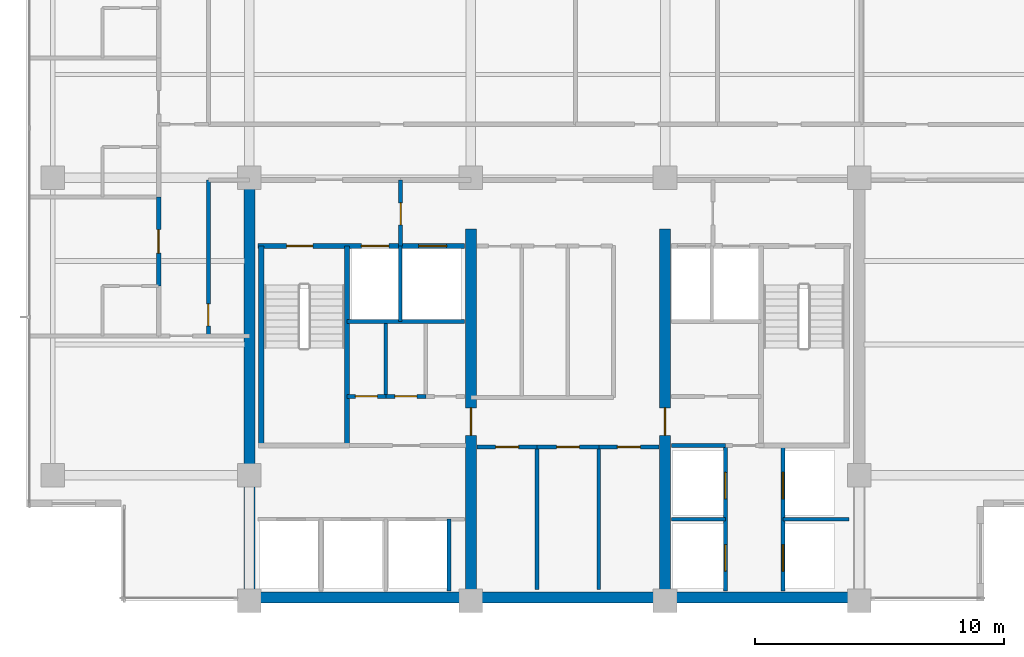
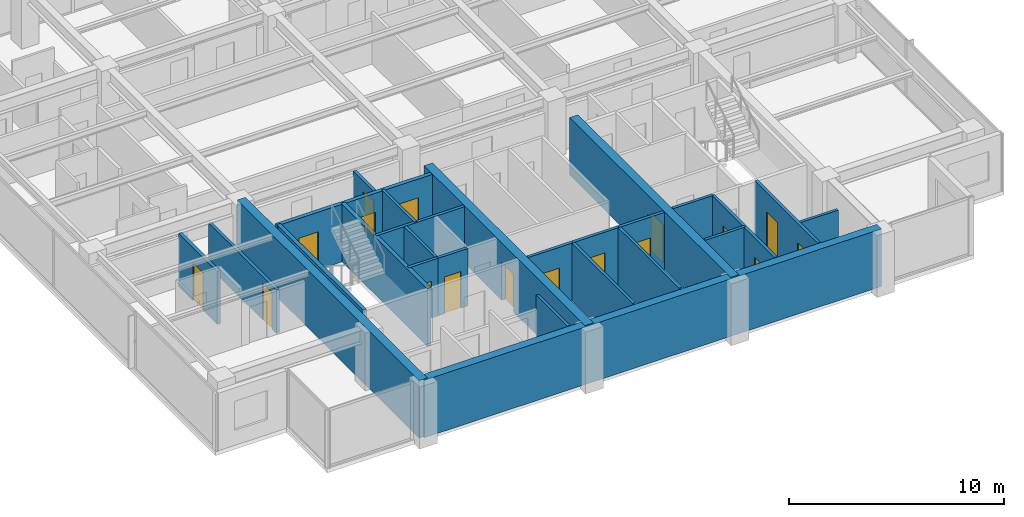
# One storey, part 7 of 15: 26 walls, 17 doors, 17 openings.
"""IFC4 building model written with IfcOpenShell, lengths in metres."""

from ifc_helpers import new_model, si_unit, direction, frame, frame_2d, origin, place, context, subcontext, project, spatial, rectangle, extrude, material, layer, layer_set, type_object, element, fill, save


model = new_model("IFC4")

# Units and contexts
model_context = context("Model", 3, precision=1e-05, world=origin(), true_north=direction((0.0, 1.0)))
body_context = subcontext(model_context, "Body", "Model", "MODEL_VIEW")
ifc_project = project(units=[si_unit("LENGTHUNIT", "METRE"), si_unit("AREAUNIT", "SQUARE_METRE"), si_unit("VOLUMEUNIT", "CUBIC_METRE"), si_unit("PLANEANGLEUNIT", "RADIAN"), si_unit("MASSUNIT", "GRAM", prefix="KILO")], contexts=[model_context])

# Site, building, storey
site_placement = place(None, origin())
site = spatial("IfcSite", under=ifc_project, at=site_placement, CompositionType="ELEMENT")
building_placement = place(site_placement, origin())
building = spatial("IfcBuilding", under=site, at=building_placement, Name="Qalmaran Belvedere Hotel", CompositionType="ELEMENT")
storey_placement = place(building_placement, frame((0.0, 0.0, 196.89990234375)))
storey = spatial("IfcBuildingStorey", under=building, at=storey_placement, Name="L49", CompositionType="ELEMENT", Elevation=196.89990234375)

# Wall
ifc_material_1 = material(Name="Concrete C50/60", Category="concrete")
ifc_layer_1 = layer(ifc_material_1, 0.449951171875, Name="Concrete C50/60")
ifc_layer_set_1 = layer_set([ifc_layer_1], Name="Concrete C50/60")
wall_type_1 = type_object("IfcWallType", Name="WL-CORE-450-C50", PredefinedType="SHEAR", material=ifc_layer_set_1)
wall_1_placement = place(storey_placement, frame((20.300048828125, 3.5, 0.0), z_axis=(0.0, 0.0, 1.0), x_axis=(0.0, 1.0, 0.0)))
element("IfcWall", 1, at=wall_1_placement, inside=storey, type_object=wall_type_1, Name="L49 West Core Shear Wall", PredefinedType="SHEAR", context=body_context, shape_type="SweptSolid", body=[
    extrude(rectangle(XDim=16.89990234375, YDim=0.449951171875, at=frame_2d((8.449951171875, 0.0))), origin(), (0.0, 0.0, 1.0), 3.260009765625),
])

# Wall, opening, door
wall_2_placement = place(storey_placement, frame((29.199951171875, 3.5, 0.0), z_axis=(0.0, 0.0, 1.0), x_axis=(0.0, 1.0, 0.0)))
wall_2 = element("IfcWall", 2, at=wall_2_placement, inside=storey, type_object=wall_type_1, Name="L49 Core West Spine Shear Wall", PredefinedType="SHEAR", context=body_context, shape_type="SweptSolid", body=[
    extrude(rectangle(XDim=14.949951171875, YDim=0.449951171875, at=frame_2d((7.47509765625, 0.0))), origin(), (0.0, 0.0, 1.0), 3.260009765625),
])
opening_1_placement = place(wall_2_placement, frame((7.75, 0.0, 0.0), z_axis=(0.0, 0.0, 1.0), x_axis=(-1.0, 0.0, 0.0)))
opening_1 = element("IfcOpeningElement", 3, at=opening_1_placement, cuts=wall_2, Name="Opening FD90", PredefinedType="OPENING", context=body_context, shape_type="SweptSolid", body=[
    extrude(rectangle(XDim=1.10009765625, YDim=2.14990234375, at=frame_2d((0.550048828125, 1.074951171875))), frame((0.0, 0.23486328125, 0.0), z_axis=(0.0, -1.0, 0.0), x_axis=(1.0, 0.0, 0.0)), (0.0, 0.0, 1.0), 0.469970703125),
])
ifc_material_2 = material(Name="Steel S355JR", Category="steel")
door_type_1 = type_object("IfcDoorType", Name="DR-FD90-1100X2150", OperationType="NOTDEFINED", PredefinedType="DOOR", material=ifc_material_2)
door_1_placement = place(opening_1_placement, origin())
door_1 = element("IfcDoor", 4, at=door_1_placement, inside=storey, type_object=door_type_1, Name="L49 Core West Cross-Lobby Door", OperationType="SINGLE_SWING_RIGHT", OverallHeight=2.14990234375, OverallWidth=1.10009765625, PredefinedType="DOOR", context=body_context, shape_type="SweptSolid", body=[
    extrude(rectangle(XDim=1.10009765625, YDim=2.14990234375, at=frame_2d((0.550048828125, 1.074951171875))), frame((0.0, 0.02490234375, 0.0), z_axis=(0.0, -1.0, 0.0), x_axis=(1.0, 0.0, 0.0)), (0.0, 0.0, 1.0), 0.050048828125),
])
fill(opening_1, door_1)

wall_3_placement = place(storey_placement, frame((37.0, 3.5, 0.0), z_axis=(0.0, 0.0, 1.0), x_axis=(0.0, 1.0, 0.0)))
wall_3 = element("IfcWall", 5, at=wall_3_placement, inside=storey, type_object=wall_type_1, Name="L49 Core East Spine Shear Wall", PredefinedType="SHEAR", context=body_context, shape_type="SweptSolid", body=[
    extrude(rectangle(XDim=14.949951171875, YDim=0.449951171875, at=frame_2d((7.47509765625, 0.0))), origin(), (0.0, 0.0, 1.0), 3.260009765625),
])
opening_2_placement = place(wall_3_placement, frame((6.64990234375, 0.0, 0.0)))
opening_2 = element("IfcOpeningElement", 6, at=opening_2_placement, cuts=wall_3, Name="Opening FD90", PredefinedType="OPENING", context=body_context, shape_type="SweptSolid", body=[
    extrude(rectangle(XDim=1.10009765625, YDim=2.14990234375, at=frame_2d((0.550048828125, 1.074951171875))), frame((0.0, 0.23486328125, 0.0), z_axis=(0.0, -1.0, 0.0), x_axis=(1.0, 0.0, 0.0)), (0.0, 0.0, 1.0), 0.469970703125),
])
door_2_placement = place(opening_2_placement, origin())
door_2 = element("IfcDoor", 7, at=door_2_placement, inside=storey, type_object=door_type_1, Name="L49 Core East Cross-Lobby Door", OperationType="SINGLE_SWING_LEFT", OverallHeight=2.14990234375, OverallWidth=1.10009765625, PredefinedType="DOOR", context=body_context, shape_type="SweptSolid", body=[
    extrude(rectangle(XDim=1.10009765625, YDim=2.14990234375, at=frame_2d((0.550048828125, 1.074951171875))), frame((0.0, 0.02490234375, 0.0), z_axis=(0.0, -1.0, 0.0), x_axis=(1.0, 0.0, 0.0)), (0.0, 0.0, 1.0), 0.050048828125),
])
fill(opening_2, door_2)

# Walls
ifc_layer_2 = layer(ifc_material_1, 0.43994140625, Name="Concrete C50/60")
ifc_layer_set_2 = layer_set([ifc_layer_2], Name="Concrete C50/60")
wall_type_2 = type_object("IfcWallType", Name="WL-CORES-440-EXT", PredefinedType="SHEAR", material=ifc_layer_set_2)
wall_4_placement = place(storey_placement, frame((20.300048828125, 3.6298828125, 0.0), z_axis=(0.0, 0.0, 1.0), x_axis=(1.0, 0.0, 0.0)))
element("IfcWall", 8, at=wall_4_placement, inside=storey, type_object=wall_type_2, Name="L49 South Core Shear Wall", PredefinedType="SHEAR", context=body_context, shape_type="SweptSolid", body=[
    extrude(rectangle(XDim=24.5, YDim=0.43994140625, at=frame_2d((12.25, 0.0))), origin(), (0.0, 0.0, 1.0), 3.260009765625),
])
ifc_material_3 = material(Name="Gypsum Stud Partition")
ifc_layer_3 = layer(ifc_material_3, 0.14990234375, Name="Gypsum Stud Partition")
ifc_layer_set_3 = layer_set([ifc_layer_3], Name="Gypsum Stud Partition")
wall_type_3 = type_object("IfcWallType", Name="WL-INT-150-EI120", PredefinedType="PARTITIONING", material=ifc_layer_set_3)
wall_5_placement = place(storey_placement, frame((26.360107421875, 14.719970703125, 0.0), z_axis=(0.0, 0.0, 1.0), x_axis=(0.0, 1.0, 0.0)))
element("IfcWall", 9, at=wall_5_placement, inside=storey, type_object=wall_type_3, Name="L49 Partition WL-FF1M-L49", PredefinedType="PARTITIONING", context=body_context, shape_type="SweptSolid", body=[
    extrude(rectangle(XDim=3.0400390625, YDim=0.14990234375, at=frame_2d((1.52001953125, 0.0))), origin(), (0.0, 0.0, 1.0), 3.260009765625),
])
wall_6_placement = place(storey_placement, frame((28.320068359375, 3.89990234375, 0.0), z_axis=(0.0, 0.0, 1.0), x_axis=(0.0, 1.0, 0.0)))
element("IfcWall", 10, at=wall_6_placement, inside=storey, type_object=wall_type_3, Name="L49 Partition WL-POM3-L49", PredefinedType="PARTITIONING", context=body_context, shape_type="SweptSolid", body=[
    extrude(rectangle(XDim=2.880126953125, YDim=0.14990234375, at=frame_2d((1.43994140625, 0.0))), origin(), (0.0, 0.0, 1.0), 3.260009765625),
])
wall_7_placement = place(storey_placement, frame((37.25, 6.780029296875, 0.0), z_axis=(0.0, 0.0, 1.0), x_axis=(1.0, 0.0, 0.0)))
element("IfcWall", 11, at=wall_7_placement, inside=storey, type_object=wall_type_3, Name="L49 Partition WL-PHMW-L49", PredefinedType="PARTITIONING", context=body_context, shape_type="SweptSolid", body=[
    extrude(rectangle(XDim=2.169921875, YDim=0.14990234375, at=frame_2d((1.0849609375, 0.0))), origin(), (0.0, 0.0, 1.0), 3.260009765625),
])
wall_8_placement = place(storey_placement, frame((41.739990234375, 6.780029296875, 0.0), z_axis=(0.0, 0.0, 1.0), x_axis=(1.0, 0.0, 0.0)))
element("IfcWall", 12, at=wall_8_placement, inside=storey, type_object=wall_type_3, Name="L49 Partition WL-PHME-L49", PredefinedType="PARTITIONING", context=body_context, shape_type="SweptSolid", body=[
    extrude(rectangle(XDim=2.659912109375, YDim=0.14990234375, at=frame_2d((1.330078125, 0.0))), origin(), (0.0, 0.0, 1.0), 2.47216796875),
])
ifc_layer_4 = layer(ifc_material_3, 0.14990234375, Name="Gypsum Stud Partition")
ifc_layer_set_4 = layer_set([ifc_layer_4], Name="Gypsum Stud Partition")
wall_type_4 = type_object("IfcWallType", Name="WL-INT-150-EI60", PredefinedType="PARTITIONING", material=ifc_layer_set_4)
wall_9_placement = place(storey_placement, frame((25.781005859375, 11.719970703125, 0.0), z_axis=(0.0, 0.0, 1.0), x_axis=(0.0, 1.0, 0.0)))
element("IfcWall", 13, at=wall_9_placement, inside=storey, type_object=wall_type_4, Name="L49 Partition WL-L49-KWV1", PredefinedType="PARTITIONING", context=body_context, shape_type="SweptSolid", body=[
    extrude(rectangle(XDim=2.929931640625, YDim=0.14990234375, at=frame_2d((1.46484375, 0.0))), origin(), (0.0, 0.0, 1.0), 3.260009765625),
])
for number, where, z_axis, x_axis, name in (
    (14, (31.85888671875, 3.949951171875, 0.0), (0.0, 0.0, 1.0), (0.0, 1.0, 0.0), "L49 Partition WL-L49-KPLV1"),
    (15, (34.341064453125, 3.949951171875, 0.0), (0.0, 0.0, 1.0), (0.0, 1.0, 0.0), "L49 Partition WL-L49-KPLV2"),
):
    element("IfcWall", number, at=place(storey_placement, frame(where, z_axis=z_axis, x_axis=x_axis)), inside=storey, type_object=wall_type_4, Name=name, PredefinedType="PARTITIONING", context=body_context, shape_type="SweptSolid", body=[
        extrude(rectangle(XDim=5.72998046875, YDim=0.14990234375, at=frame_2d((2.864990234375, 0.0))), origin(), (0.0, 0.0, 1.0), 3.260009765625),
    ])

# Wall, opening, door
ifc_layer_5 = layer(ifc_material_3, 0.159912109375, Name="Gypsum Stud Partition")
ifc_layer_set_5 = layer_set([ifc_layer_5], Name="Gypsum Stud Partition")
wall_type_5 = type_object("IfcWallType", Name="WL-INT-160-EI120", PredefinedType="PARTITIONING", material=ifc_layer_set_5)
wall_10_placement = place(storey_placement, frame((26.3798828125, 17.760009765625, 0.0), z_axis=(0.0, 0.0, 1.0), x_axis=(0.0, 1.0, 0.0)))
wall_10 = element("IfcWall", 16, at=wall_10_placement, inside=storey, type_object=wall_type_5, Name="L49 Partition WL-FFSV1-L49", PredefinedType="PARTITIONING", context=body_context, shape_type="SweptSolid", body=[
    extrude(rectangle(XDim=2.659912109375, YDim=0.159912109375, at=frame_2d((1.330078125, 0.0))), origin(), (0.0, 0.0, 1.0), 2.7060546875),
])
opening_3_placement = place(wall_10_placement, frame((0.85009765625, 0.0, 0.0)))
opening_3 = element("IfcOpeningElement", 17, at=opening_3_placement, cuts=wall_10, Name="Opening FD60B", PredefinedType="OPENING", context=body_context, shape_type="SweptSolid", body=[
    extrude(rectangle(XDim=0.8798828125, YDim=2.080078125, at=frame_2d((0.43994140625, 1.0400390625))), frame((0.0, 0.08984375, 0.0), z_axis=(0.0, -1.0, 0.0), x_axis=(1.0, 0.0, 0.0)), (0.0, 0.0, 1.0), 0.179931640625),
])
door_type_2 = type_object("IfcDoorType", Name="DR-FD60B-880X2080", OperationType="NOTDEFINED", PredefinedType="DOOR", material=ifc_material_2)
door_3_placement = place(opening_3_placement, origin())
door_3 = element("IfcDoor", 18, at=door_3_placement, inside=storey, type_object=door_type_2, Name="L49 Service Lobby West Door", OperationType="SINGLE_SWING_RIGHT", OverallHeight=2.080078125, OverallWidth=0.8798828125, PredefinedType="DOOR", context=body_context, shape_type="SweptSolid", body=[
    extrude(rectangle(XDim=0.8798828125, YDim=2.080078125, at=frame_2d((0.43994140625, 1.0400390625))), frame((0.0, 0.02490234375, 0.0), z_axis=(0.0, -1.0, 0.0), x_axis=(1.0, 0.0, 0.0)), (0.0, 0.0, 1.0), 0.050048828125),
])
fill(opening_3, door_3)

# Wall
wall_11_placement = place(storey_placement, frame((24.219970703125, 14.719970703125, 0.0), z_axis=(0.0, 0.0, 1.0), x_axis=(1.0, 0.0, 0.0)))
element("IfcWall", 19, at=wall_11_placement, inside=storey, type_object=wall_type_5, Name="L49 Partition WL-FF1S-L49", PredefinedType="PARTITIONING", context=body_context, shape_type="SweptSolid", body=[
    extrude(rectangle(XDim=4.72998046875, YDim=0.159912109375, at=frame_2d((2.364990234375, 0.0))), origin(), (0.0, 0.0, 1.0), 3.260009765625),
])

# Wall, openings, doors
wall_12_placement = place(storey_placement, frame((39.419921875, 3.89990234375, 0.0), z_axis=(0.0, 0.0, 1.0), x_axis=(0.0, 1.0, 0.0)))
wall_12 = element("IfcWall", 20, at=wall_12_placement, inside=storey, type_object=wall_type_5, Name="L49 Partition WL-PHW-L49", PredefinedType="PARTITIONING", context=body_context, shape_type="SweptSolid", body=[
    extrude(rectangle(XDim=5.840087890625, YDim=0.159912109375, at=frame_2d((2.919921875, 0.0))), origin(), (0.0, 0.0, 1.0), 3.260009765625),
])
opening_4_placement = place(wall_12_placement, frame((1.860107421875, 0.0, 0.0), z_axis=(0.0, 0.0, 1.0), x_axis=(-1.0, 0.0, 0.0)))
opening_4 = element("IfcOpeningElement", 21, at=opening_4_placement, cuts=wall_12, Name="Opening LD-P2", PredefinedType="OPENING", context=body_context, shape_type="SweptSolid", body=[
    extrude(rectangle(XDim=1.06005859375, YDim=2.159912109375, at=frame_2d((0.530029296875, 1.080078125))), frame((0.0, 0.08984375, 0.0), z_axis=(0.0, -1.0, 0.0), x_axis=(1.0, 0.0, 0.0)), (0.0, 0.0, 1.0), 0.179931640625),
])
opening_5_placement = place(wall_12_placement, frame((4.760009765625, 0.0, 0.0), z_axis=(0.0, 0.0, 1.0), x_axis=(-1.0, 0.0, 0.0)))
opening_5 = element("IfcOpeningElement", 22, at=opening_5_placement, cuts=wall_12, Name="Opening LD-P2", PredefinedType="OPENING", context=body_context, shape_type="SweptSolid", body=[
    extrude(rectangle(XDim=1.06005859375, YDim=2.159912109375, at=frame_2d((0.530029296875, 1.080078125))), frame((0.0, 0.08984375, 0.0), z_axis=(0.0, -1.0, 0.0), x_axis=(1.0, 0.0, 0.0)), (0.0, 0.0, 1.0), 0.179931640625),
])
ifc_material_4 = material(Name="Stainless Steel 1.4401", Category="steel")
door_type_3 = type_object("IfcDoorType", Name="DR-LIFT-P2-1060X2160", OperationType="DOUBLE_DOOR_SLIDING", PredefinedType="DOOR", material=ifc_material_4)
door_4_placement = place(opening_4_placement, origin())
door_4 = element("IfcDoor", 23, at=door_4_placement, inside=storey, type_object=door_type_3, Name="L49 PH1 Lift Landing Door", OperationType="DOUBLE_DOOR_SLIDING", OverallHeight=2.159912109375, OverallWidth=1.06005859375, PredefinedType="DOOR", context=body_context, shape_type="SweptSolid", body=[
    extrude(rectangle(XDim=1.06005859375, YDim=2.159912109375, at=frame_2d((0.530029296875, 1.080078125))), frame((0.0, 0.02490234375, 0.0), z_axis=(0.0, -1.0, 0.0), x_axis=(1.0, 0.0, 0.0)), (0.0, 0.0, 1.0), 0.050048828125),
])
fill(opening_4, door_4)
door_5_placement = place(opening_5_placement, origin())
door_5 = element("IfcDoor", 24, at=door_5_placement, inside=storey, type_object=door_type_3, Name="L49 PH2 Lift Landing Door", OperationType="DOUBLE_DOOR_SLIDING", OverallHeight=2.159912109375, OverallWidth=1.06005859375, PredefinedType="DOOR", context=body_context, shape_type="SweptSolid", body=[
    extrude(rectangle(XDim=1.06005859375, YDim=2.159912109375, at=frame_2d((0.530029296875, 1.080078125))), frame((0.0, 0.02490234375, 0.0), z_axis=(0.0, -1.0, 0.0), x_axis=(1.0, 0.0, 0.0)), (0.0, 0.0, 1.0), 0.050048828125),
])
fill(opening_5, door_5)

wall_13_placement = place(storey_placement, frame((41.739990234375, 3.89990234375, 0.0), z_axis=(0.0, 0.0, 1.0), x_axis=(0.0, 1.0, 0.0)))
wall_13 = element("IfcWall", 25, at=wall_13_placement, inside=storey, type_object=wall_type_5, Name="L49 Partition WL-PHE-L49", PredefinedType="PARTITIONING", context=body_context, shape_type="SweptSolid", body=[
    extrude(rectangle(XDim=5.840087890625, YDim=0.159912109375, at=frame_2d((2.919921875, 0.0))), origin(), (0.0, 0.0, 1.0), 3.260009765625),
])
opening_6_placement = place(wall_13_placement, frame((0.800048828125, 0.0, 0.0)))
opening_6 = element("IfcOpeningElement", 26, at=opening_6_placement, cuts=wall_13, Name="Opening LD-P2", PredefinedType="OPENING", context=body_context, shape_type="SweptSolid", body=[
    extrude(rectangle(XDim=1.06005859375, YDim=2.159912109375, at=frame_2d((0.530029296875, 1.080078125))), frame((0.0, 0.08984375, 0.0), z_axis=(0.0, -1.0, 0.0), x_axis=(1.0, 0.0, 0.0)), (0.0, 0.0, 1.0), 0.179931640625),
])
opening_7_placement = place(wall_13_placement, frame((3.699951171875, 0.0, 0.0)))
opening_7 = element("IfcOpeningElement", 27, at=opening_7_placement, cuts=wall_13, Name="Opening LD-P2", PredefinedType="OPENING", context=body_context, shape_type="SweptSolid", body=[
    extrude(rectangle(XDim=1.06005859375, YDim=2.159912109375, at=frame_2d((0.530029296875, 1.080078125))), frame((0.0, 0.08984375, 0.0), z_axis=(0.0, -1.0, 0.0), x_axis=(1.0, 0.0, 0.0)), (0.0, 0.0, 1.0), 0.179931640625),
])
door_6_placement = place(opening_6_placement, origin())
door_6 = element("IfcDoor", 28, at=door_6_placement, inside=storey, type_object=door_type_3, Name="L49 PH3 Lift Landing Door", OperationType="DOUBLE_DOOR_SLIDING", OverallHeight=2.159912109375, OverallWidth=1.06005859375, PredefinedType="DOOR", context=body_context, shape_type="SweptSolid", body=[
    extrude(rectangle(XDim=1.06005859375, YDim=2.159912109375, at=frame_2d((0.530029296875, 1.080078125))), frame((0.0, 0.02490234375, 0.0), z_axis=(0.0, -1.0, 0.0), x_axis=(1.0, 0.0, 0.0)), (0.0, 0.0, 1.0), 0.050048828125),
])
fill(opening_6, door_6)
door_7_placement = place(opening_7_placement, origin())
door_7 = element("IfcDoor", 29, at=door_7_placement, inside=storey, type_object=door_type_3, Name="L49 PH4 Lift Landing Door", OperationType="DOUBLE_DOOR_SLIDING", OverallHeight=2.159912109375, OverallWidth=1.06005859375, PredefinedType="DOOR", context=body_context, shape_type="SweptSolid", body=[
    extrude(rectangle(XDim=1.06005859375, YDim=2.159912109375, at=frame_2d((0.530029296875, 1.080078125))), frame((0.0, 0.02490234375, 0.0), z_axis=(0.0, -1.0, 0.0), x_axis=(1.0, 0.0, 0.0)), (0.0, 0.0, 1.0), 0.050048828125),
])
fill(opening_7, door_7)

# Wall
wall_14_placement = place(storey_placement, frame((37.25, 9.739990234375, 0.0), z_axis=(0.0, 0.0, 1.0), x_axis=(1.0, 0.0, 0.0)))
element("IfcWall", 30, at=wall_14_placement, inside=storey, type_object=wall_type_5, Name="L49 Partition WL-PHNW-L49", PredefinedType="PARTITIONING", context=body_context, shape_type="SweptSolid", body=[
    extrude(rectangle(XDim=2.169921875, YDim=0.159912109375, at=frame_2d((1.0849609375, 0.0))), origin(), (0.0, 0.0, 1.0), 3.260009765625),
])

# Wall, opening, door
ifc_layer_6 = layer(ifc_material_3, 0.159912109375, Name="Gypsum Stud Partition")
ifc_layer_set_6 = layer_set([ifc_layer_6], Name="Gypsum Stud Partition")
wall_type_6 = type_object("IfcWallType", Name="WL-INT-160-EI60", PredefinedType="PARTITIONING", material=ifc_layer_set_6)
wall_15_placement = place(storey_placement, frame((24.219970703125, 11.719970703125, 0.0), z_axis=(0.0, 0.0, 1.0), x_axis=(1.0, 0.0, 0.0)))
wall_15 = element("IfcWall", 31, at=wall_15_placement, inside=storey, type_object=wall_type_6, Name="L49 Partition WL-L49-KWE1", PredefinedType="PARTITIONING", context=body_context, shape_type="SweptSolid", body=[
    extrude(rectangle(XDim=1.56103515625, YDim=0.159912109375, at=frame_2d((0.780517578125, 0.0))), origin(), (0.0, 0.0, 1.0), 3.260009765625),
])
opening_8_placement = place(wall_15_placement, frame((0.340576171875, 0.0, 0.0)))
opening_8 = element("IfcOpeningElement", 32, at=opening_8_placement, cuts=wall_15, Name="Opening FD60B", PredefinedType="OPENING", context=body_context, shape_type="SweptSolid", body=[
    extrude(rectangle(XDim=0.8798828125, YDim=2.080078125, at=frame_2d((0.43994140625, 1.0400390625))), frame((0.0, 0.08984375, 0.0), z_axis=(0.0, -1.0, 0.0), x_axis=(1.0, 0.0, 0.0)), (0.0, 0.0, 1.0), 0.179931640625),
])
door_8_placement = place(opening_8_placement, origin())
door_8 = element("IfcDoor", 33, at=door_8_placement, inside=storey, type_object=door_type_2, Name="L49 Staff Core WC Door", OperationType="SINGLE_SWING_LEFT", OverallHeight=2.080078125, OverallWidth=0.8798828125, PredefinedType="DOOR", context=body_context, shape_type="SweptSolid", body=[
    extrude(rectangle(XDim=0.8798828125, YDim=2.080078125, at=frame_2d((0.43994140625, 1.0400390625))), frame((0.0, 0.02490234375, 0.0), z_axis=(0.0, -1.0, 0.0), x_axis=(1.0, 0.0, 0.0)), (0.0, 0.0, 1.0), 0.050048828125),
])
fill(opening_8, door_8)

wall_16_placement = place(storey_placement, frame((25.781005859375, 11.719970703125, 0.0), z_axis=(0.0, 0.0, 1.0), x_axis=(1.0, 0.0, 0.0)))
wall_16 = element("IfcWall", 34, at=wall_16_placement, inside=storey, type_object=wall_type_6, Name="L49 Partition WL-L49-KWE2", PredefinedType="PARTITIONING", context=body_context, shape_type="SweptSolid", body=[
    extrude(rectangle(XDim=1.608154296875, YDim=0.159912109375, at=frame_2d((0.80419921875, 0.0))), origin(), (0.0, 0.0, 1.0), 3.260009765625),
])
opening_9_placement = place(wall_16_placement, frame((0.364013671875, 0.0, 0.0)))
opening_9 = element("IfcOpeningElement", 35, at=opening_9_placement, cuts=wall_16, Name="Opening FD60B", PredefinedType="OPENING", context=body_context, shape_type="SweptSolid", body=[
    extrude(rectangle(XDim=0.8798828125, YDim=2.080078125, at=frame_2d((0.43994140625, 1.0400390625))), frame((0.0, 0.08984375, 0.0), z_axis=(0.0, -1.0, 0.0), x_axis=(1.0, 0.0, 0.0)), (0.0, 0.0, 1.0), 0.179931640625),
])
door_9_placement = place(opening_9_placement, origin())
door_9 = element("IfcDoor", 36, at=door_9_placement, inside=storey, type_object=door_type_2, Name="L49 Electrical Distribution Room Door", OperationType="SINGLE_SWING_RIGHT", OverallHeight=2.080078125, OverallWidth=0.8798828125, PredefinedType="DOOR", context=body_context, shape_type="SweptSolid", body=[
    extrude(rectangle(XDim=0.8798828125, YDim=2.080078125, at=frame_2d((0.43994140625, 1.0400390625))), frame((0.0, 0.02490234375, 0.0), z_axis=(0.0, -1.0, 0.0), x_axis=(1.0, 0.0, 0.0)), (0.0, 0.0, 1.0), 0.050048828125),
])
fill(opening_9, door_9)

wall_17_placement = place(storey_placement, frame((29.449951171875, 9.679931640625, 0.0), z_axis=(0.0, 0.0, 1.0), x_axis=(1.0, 0.0, 0.0)))
wall_17 = element("IfcWall", 37, at=wall_17_placement, inside=storey, type_object=wall_type_6, Name="L49 Partition WL-L49-KPLE1", PredefinedType="PARTITIONING", context=body_context, shape_type="SweptSolid", body=[
    extrude(rectangle(XDim=2.408935546875, YDim=0.159912109375, at=frame_2d((1.20458984375, 0.0))), origin(), (0.0, 0.0, 1.0), 3.260009765625),
])
opening_10_placement = place(wall_17_placement, frame((1.664306640625, 0.0, 0.0), z_axis=(0.0, 0.0, 1.0), x_axis=(-1.0, 0.0, 0.0)))
opening_10 = element("IfcOpeningElement", 38, at=opening_10_placement, cuts=wall_17, Name="Opening FD60S1", PredefinedType="OPENING", context=body_context, shape_type="SweptSolid", body=[
    extrude(rectangle(XDim=0.919921875, YDim=2.080078125, at=frame_2d((0.4599609375, 1.0400390625))), frame((0.0, 0.08984375, 0.0), z_axis=(0.0, -1.0, 0.0), x_axis=(1.0, 0.0, 0.0)), (0.0, 0.0, 1.0), 0.179931640625),
])
ifc_material_5 = material(Name="Engineered Oak Veneer")
door_type_4 = type_object("IfcDoorType", Name="DR-FD60S-920X2080", OperationType="NOTDEFINED", PredefinedType="DOOR", material=ifc_material_5)
door_10_placement = place(opening_10_placement, origin())
door_10 = element("IfcDoor", 39, at=door_10_placement, inside=storey, type_object=door_type_4, Name="L49 Housekeeping and Linen Room Door", OperationType="SINGLE_SWING_LEFT", OverallHeight=2.080078125, OverallWidth=0.919921875, PredefinedType="DOOR", context=body_context, shape_type="SweptSolid", body=[
    extrude(rectangle(XDim=0.919921875, YDim=2.080078125, at=frame_2d((0.4599609375, 1.0400390625))), frame((0.0, 0.02490234375, 0.0), z_axis=(0.0, -1.0, 0.0), x_axis=(1.0, 0.0, 0.0)), (0.0, 0.0, 1.0), 0.050048828125),
])
fill(opening_10, door_10)

wall_18_placement = place(storey_placement, frame((31.85888671875, 9.679931640625, 0.0), z_axis=(0.0, 0.0, 1.0), x_axis=(1.0, 0.0, 0.0)))
wall_18 = element("IfcWall", 40, at=wall_18_placement, inside=storey, type_object=wall_type_6, Name="L49 Partition WL-L49-KPLE2", PredefinedType="PARTITIONING", context=body_context, shape_type="SweptSolid", body=[
    extrude(rectangle(XDim=2.482177734375, YDim=0.159912109375, at=frame_2d((1.2412109375, 0.0))), origin(), (0.0, 0.0, 1.0), 3.260009765625),
])
opening_11_placement = place(wall_18_placement, frame((1.700927734375, 0.0, 0.0), z_axis=(0.0, 0.0, 1.0), x_axis=(-1.0, 0.0, 0.0)))
opening_11 = element("IfcOpeningElement", 41, at=opening_11_placement, cuts=wall_18, Name="Opening FD60S1", PredefinedType="OPENING", context=body_context, shape_type="SweptSolid", body=[
    extrude(rectangle(XDim=0.919921875, YDim=2.080078125, at=frame_2d((0.4599609375, 1.0400390625))), frame((0.0, 0.08984375, 0.0), z_axis=(0.0, -1.0, 0.0), x_axis=(1.0, 0.0, 0.0)), (0.0, 0.0, 1.0), 0.179931640625),
])
door_11_placement = place(opening_11_placement, origin())
door_11 = element("IfcDoor", 42, at=door_11_placement, inside=storey, type_object=door_type_4, Name="L49 Hotel Butler Service Pantry Door", OperationType="SINGLE_SWING_RIGHT", OverallHeight=2.080078125, OverallWidth=0.919921875, PredefinedType="DOOR", context=body_context, shape_type="SweptSolid", body=[
    extrude(rectangle(XDim=0.919921875, YDim=2.080078125, at=frame_2d((0.4599609375, 1.0400390625))), frame((0.0, 0.02490234375, 0.0), z_axis=(0.0, -1.0, 0.0), x_axis=(1.0, 0.0, 0.0)), (0.0, 0.0, 1.0), 0.050048828125),
])
fill(opening_11, door_11)

wall_19_placement = place(storey_placement, frame((34.341064453125, 9.679931640625, 0.0), z_axis=(0.0, 0.0, 1.0), x_axis=(1.0, 0.0, 0.0)))
wall_19 = element("IfcWall", 43, at=wall_19_placement, inside=storey, type_object=wall_type_6, Name="L49 Partition WL-L49-KPLE3", PredefinedType="PARTITIONING", context=body_context, shape_type="SweptSolid", body=[
    extrude(rectangle(XDim=2.408935546875, YDim=0.159912109375, at=frame_2d((1.20458984375, 0.0))), origin(), (0.0, 0.0, 1.0), 3.260009765625),
])
opening_12_placement = place(wall_19_placement, frame((1.664306640625, 0.0, 0.0), z_axis=(0.0, 0.0, 1.0), x_axis=(-1.0, 0.0, 0.0)))
opening_12 = element("IfcOpeningElement", 44, at=opening_12_placement, cuts=wall_19, Name="Opening FD60S1", PredefinedType="OPENING", context=body_context, shape_type="SweptSolid", body=[
    extrude(rectangle(XDim=0.919921875, YDim=2.080078125, at=frame_2d((0.4599609375, 1.0400390625))), frame((0.0, 0.08984375, 0.0), z_axis=(0.0, -1.0, 0.0), x_axis=(1.0, 0.0, 0.0)), (0.0, 0.0, 1.0), 0.179931640625),
])
door_12_placement = place(opening_12_placement, origin())
door_12 = element("IfcDoor", 45, at=door_12_placement, inside=storey, type_object=door_type_4, Name="L49 Guest Valet Supply Store Door", OperationType="SINGLE_SWING_LEFT", OverallHeight=2.080078125, OverallWidth=0.919921875, PredefinedType="DOOR", context=body_context, shape_type="SweptSolid", body=[
    extrude(rectangle(XDim=0.919921875, YDim=2.080078125, at=frame_2d((0.4599609375, 1.0400390625))), frame((0.0, 0.02490234375, 0.0), z_axis=(0.0, -1.0, 0.0), x_axis=(1.0, 0.0, 0.0)), (0.0, 0.0, 1.0), 0.050048828125),
])
fill(opening_12, door_12)

wall_20_placement = place(storey_placement, frame((18.64990234375, 14.14990234375, 0.0), z_axis=(0.0, 0.0, 1.0), x_axis=(0.0, 1.0, 0.0)))
wall_20 = element("IfcWall", 46, at=wall_20_placement, inside=storey, type_object=wall_type_6, Name="L49 Partition WL-L49-WCL", PredefinedType="PARTITIONING", context=body_context, shape_type="SweptSolid", body=[
    extrude(rectangle(XDim=6.27001953125, YDim=0.159912109375, at=frame_2d((3.135009765625, 0.0))), origin(), (0.0, 0.0, 1.0), 2.47216796875),
])
opening_13_placement = place(wall_20_placement, frame((1.27978515625, 0.0, 0.0), z_axis=(0.0, 0.0, 1.0), x_axis=(-1.0, 0.0, 0.0)))
opening_13 = element("IfcOpeningElement", 47, at=opening_13_placement, cuts=wall_20, Name="Opening FD60B", PredefinedType="OPENING", context=body_context, shape_type="SweptSolid", body=[
    extrude(rectangle(XDim=0.8798828125, YDim=2.080078125, at=frame_2d((0.43994140625, 1.0400390625))), frame((0.0, 0.08984375, 0.0), z_axis=(0.0, -1.0, 0.0), x_axis=(1.0, 0.0, 0.0)), (0.0, 0.0, 1.0), 0.179931640625),
])
door_13_placement = place(opening_13_placement, origin())
door_13 = element("IfcDoor", 48, at=door_13_placement, inside=storey, type_object=door_type_2, Name="L49 West Closet Door", OperationType="SINGLE_SWING_RIGHT", OverallHeight=2.080078125, OverallWidth=0.8798828125, PredefinedType="DOOR", context=body_context, shape_type="SweptSolid", body=[
    extrude(rectangle(XDim=0.8798828125, YDim=2.080078125, at=frame_2d((0.43994140625, 1.0400390625))), frame((0.0, 0.02490234375, 0.0), z_axis=(0.0, -1.0, 0.0), x_axis=(1.0, 0.0, 0.0)), (0.0, 0.0, 1.0), 0.050048828125),
])
fill(opening_13, door_13)

ifc_layer_7 = layer(ifc_material_3, 0.179931640625, Name="Gypsum Stud Partition")
ifc_layer_set_7 = layer_set([ifc_layer_7], Name="Gypsum Stud Partition")
wall_type_7 = type_object("IfcWallType", Name="WL-INT-180-EI60", PredefinedType="PARTITIONING", material=ifc_layer_set_7)
wall_21_placement = place(storey_placement, frame((16.64990234375, 16.159912109375, 0.0), z_axis=(0.0, 0.0, 1.0), x_axis=(0.0, 1.0, 0.0)))
wall_21 = element("IfcWall", 49, at=wall_21_placement, inside=storey, type_object=wall_type_7, Name="L49 Partition WL-L49-WEC00", PredefinedType="PARTITIONING", context=body_context, shape_type="SweptSolid", body=[
    extrude(rectangle(XDim=3.573486328125, YDim=0.179931640625, at=frame_2d((1.78662109375, 0.0))), origin(), (0.0, 0.0, 1.0), 2.998046875),
])
opening_14_placement = place(wall_21_placement, frame((1.3115234375, 0.0, 0.0)))
opening_14 = element("IfcOpeningElement", 50, at=opening_14_placement, cuts=wall_21, Name="Opening FD60", PredefinedType="OPENING", context=body_context, shape_type="SweptSolid", body=[
    extrude(rectangle(XDim=0.949951171875, YDim=2.14990234375, at=frame_2d((0.47509765625, 1.074951171875))), frame((0.0, 0.10009765625, 0.0), z_axis=(0.0, -1.0, 0.0), x_axis=(1.0, 0.0, 0.0)), (0.0, 0.0, 1.0), 0.199951171875),
])
door_type_5 = type_object("IfcDoorType", Name="DR-FD60-950X2150", OperationType="NOTDEFINED", PredefinedType="DOOR", material=ifc_material_5)
door_14_placement = place(opening_14_placement, origin())
door_14 = element("IfcDoor", 51, at=door_14_placement, inside=storey, type_object=door_type_5, Name="L49 W Wing Door 01", OperationType="SINGLE_SWING_LEFT", OverallHeight=2.14990234375, OverallWidth=0.949951171875, PredefinedType="DOOR", context=body_context, shape_type="SweptSolid", body=[
    extrude(rectangle(XDim=0.949951171875, YDim=2.14990234375, at=frame_2d((0.47509765625, 1.074951171875))), frame((0.0, 0.02490234375, 0.0), z_axis=(0.0, -1.0, 0.0), x_axis=(1.0, 0.0, 0.0)), (0.0, 0.0, 1.0), 0.050048828125),
])
fill(opening_14, door_14)

# Walls
ifc_layer_8 = layer(ifc_material_1, 0.2099609375, Name="Concrete C50/60")
ifc_layer_set_8 = layer_set([ifc_layer_8], Name="Concrete C50/60")
wall_type_8 = type_object("IfcWallType", Name="WL-STAIR-210-C50", PredefinedType="SHEAR", material=ifc_layer_set_8)
for number, where, z_axis, x_axis, name in (
    (52, (20.77490234375, 9.7451171875, 0.0), (0.0, 0.0, 1.0), (0.0, 1.0, 0.0), "L49 Stair ST-1 West Bearing Wall"),
    (53, (24.22509765625, 9.7451171875, 0.0), (0.0, 0.0, 1.0), (0.0, 1.0, 0.0), "L49 Stair ST-1 East Bearing Wall"),
):
    element("IfcWall", number, at=place(storey_placement, frame(where, z_axis=z_axis, x_axis=x_axis)), inside=storey, type_object=wall_type_8, Name=name, PredefinedType="SHEAR", context=body_context, shape_type="SweptSolid", body=[
        extrude(rectangle(XDim=8.009765625, YDim=0.2099609375, at=frame_2d((4.0048828125, 0.0))), origin(), (0.0, 0.0, 1.0), 3.260009765625),
    ])

# Wall, openings, doors
wall_22_placement = place(storey_placement, frame((20.64990234375, 17.7548828125, 0.0), z_axis=(0.0, 0.0, 1.0), x_axis=(1.0, 0.0, 0.0)))
wall_22 = element("IfcWall", 54, at=wall_22_placement, inside=storey, type_object=wall_type_8, Name="L49 West Lobby and Stair ST-1 North Bearing Wall", PredefinedType="SHEAR", context=body_context, shape_type="SweptSolid", body=[
    extrude(rectangle(XDim=8.300048828125, YDim=0.2099609375, at=frame_2d((4.14990234375, 0.0))), origin(), (0.0, 0.0, 1.0), 3.260009765625),
])
opening_15_placement = place(wall_22_placement, frame((2.199951171875, 0.0, 0.0), z_axis=(0.0, 0.0, 1.0), x_axis=(-1.0, 0.0, 0.0)))
opening_15 = element("IfcOpeningElement", 55, at=opening_15_placement, cuts=wall_22, Name="Opening FD90S2", PredefinedType="OPENING", context=body_context, shape_type="SweptSolid", body=[
    extrude(rectangle(XDim=1.050048828125, YDim=2.14990234375, at=frame_2d((0.52490234375, 1.074951171875))), frame((0.0, 0.114990234375, 0.0), z_axis=(0.0, -1.0, 0.0), x_axis=(1.0, 0.0, 0.0)), (0.0, 0.0, 1.0), 0.22998046875),
])
opening_16_placement = place(wall_22_placement, frame((4.14990234375, 0.0, 0.0)))
opening_16 = element("IfcOpeningElement", 56, at=opening_16_placement, cuts=wall_22, Name="Opening LD-FF", PredefinedType="OPENING", context=body_context, shape_type="SweptSolid", body=[
    extrude(rectangle(XDim=1.10009765625, YDim=2.179931640625, at=frame_2d((0.550048828125, 1.08984375))), frame((0.0, 0.114990234375, 0.0), z_axis=(0.0, -1.0, 0.0), x_axis=(1.0, 0.0, 0.0)), (0.0, 0.0, 1.0), 0.22998046875),
])
opening_17_placement = place(wall_22_placement, frame((6.449951171875, 0.0, 0.0)))
opening_17 = element("IfcOpeningElement", 57, at=opening_17_placement, cuts=wall_22, Name="Opening LD-SV", PredefinedType="OPENING", context=body_context, shape_type="SweptSolid", body=[
    extrude(rectangle(XDim=1.1201171875, YDim=2.199951171875, at=frame_2d((0.56005859375, 1.10009765625))), frame((0.0, 0.114990234375, 0.0), z_axis=(0.0, -1.0, 0.0), x_axis=(1.0, 0.0, 0.0)), (0.0, 0.0, 1.0), 0.22998046875),
])
door_type_6 = type_object("IfcDoorType", Name="DR-FD90S-1050X2150", OperationType="NOTDEFINED", PredefinedType="DOOR", material=ifc_material_2)
door_15_placement = place(opening_15_placement, origin())
door_15 = element("IfcDoor", 58, at=door_15_placement, inside=storey, type_object=door_type_6, Name="L49 Stair ST-1 Door", OperationType="SINGLE_SWING_RIGHT", OverallHeight=2.14990234375, OverallWidth=1.050048828125, PredefinedType="DOOR", context=body_context, shape_type="SweptSolid", body=[
    extrude(rectangle(XDim=1.050048828125, YDim=2.14990234375, at=frame_2d((0.52490234375, 1.074951171875))), frame((0.0, 0.02490234375, 0.0), z_axis=(0.0, -1.0, 0.0), x_axis=(1.0, 0.0, 0.0)), (0.0, 0.0, 1.0), 0.050048828125),
])
fill(opening_15, door_15)
door_type_7 = type_object("IfcDoorType", Name="DR-LIFT-FF-1100X2180", OperationType="DOUBLE_DOOR_SLIDING", PredefinedType="DOOR", material=ifc_material_4)
door_16_placement = place(opening_16_placement, origin())
door_16 = element("IfcDoor", 59, at=door_16_placement, inside=storey, type_object=door_type_7, Name="L49 FF1 Lift Landing Door", OperationType="DOUBLE_DOOR_SLIDING", OverallHeight=2.179931640625, OverallWidth=1.10009765625, PredefinedType="DOOR", context=body_context, shape_type="SweptSolid", body=[
    extrude(rectangle(XDim=1.10009765625, YDim=2.179931640625, at=frame_2d((0.550048828125, 1.08984375))), frame((0.0, 0.02490234375, 0.0), z_axis=(0.0, -1.0, 0.0), x_axis=(1.0, 0.0, 0.0)), (0.0, 0.0, 1.0), 0.050048828125),
])
fill(opening_16, door_16)
door_type_8 = type_object("IfcDoorType", Name="DR-LIFT-SV-1120X2200", OperationType="DOUBLE_DOOR_SLIDING", PredefinedType="DOOR", material=ifc_material_4)
door_17_placement = place(opening_17_placement, origin())
door_17 = element("IfcDoor", 60, at=door_17_placement, inside=storey, type_object=door_type_8, Name="L49 SV1 Lift Landing Door", OperationType="DOUBLE_DOOR_SLIDING", OverallHeight=2.199951171875, OverallWidth=1.1201171875, PredefinedType="DOOR", context=body_context, shape_type="SweptSolid", body=[
    extrude(rectangle(XDim=1.1201171875, YDim=2.199951171875, at=frame_2d((0.56005859375, 1.10009765625))), frame((0.0, 0.02490234375, 0.0), z_axis=(0.0, -1.0, 0.0), x_axis=(1.0, 0.0, 0.0)), (0.0, 0.0, 1.0), 0.050048828125),
])
fill(opening_17, door_17)

save(model, "model.ifc")
